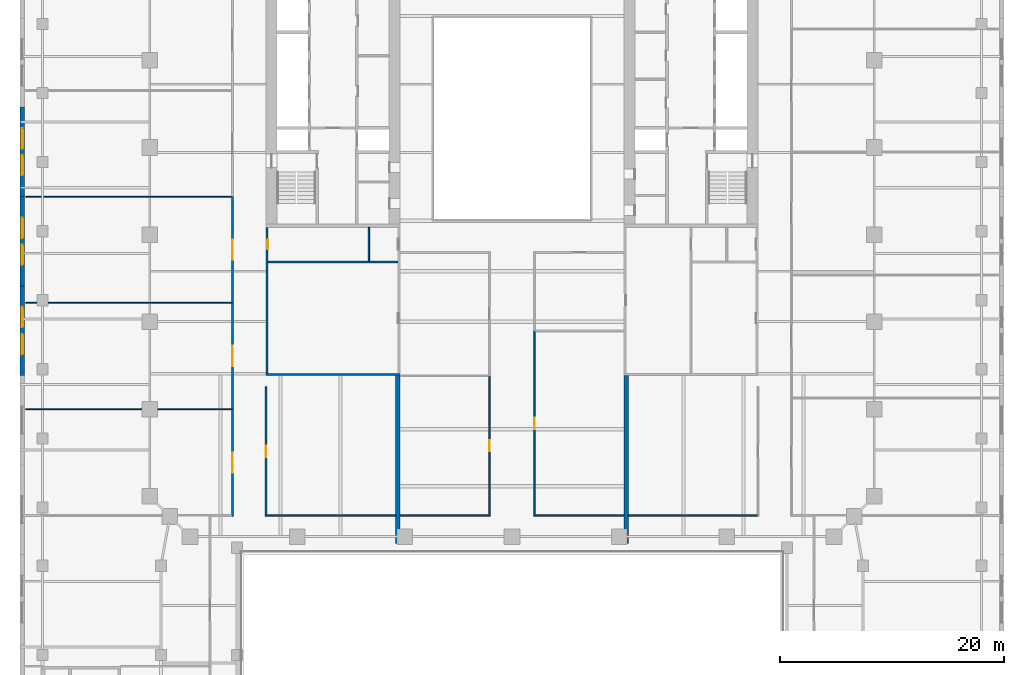
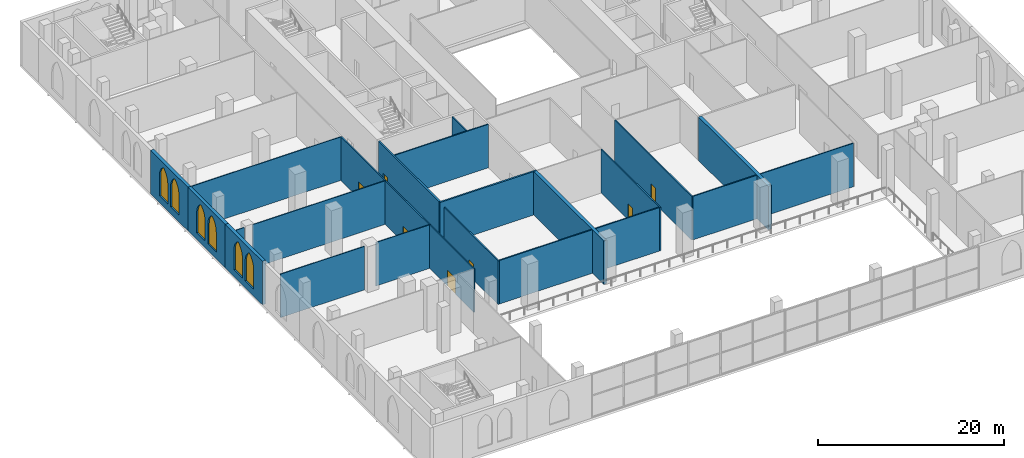
# One storey, part 9 of 21: 24 walls, 7 doors, 6 windows, 13 openings.
"""IFC4 building model written with IfcOpenShell, lengths in metres."""

from ifc_helpers import new_model, si_unit, direction, frame, frame_2d, origin, place, context, subcontext, project, spatial, polyline, rectangle, outline, extrude, material, layer, layer_set, type_object, element, fill, save


model = new_model("IFC4")

# Units and contexts
model_context = context("Model", 3, precision=1e-05, world=origin(), true_north=direction((0.0, 1.0)))
body_context = subcontext(model_context, "Body", "Model", "MODEL_VIEW")
ifc_project = project(units=[si_unit("LENGTHUNIT", "METRE"), si_unit("AREAUNIT", "SQUARE_METRE"), si_unit("VOLUMEUNIT", "CUBIC_METRE"), si_unit("PLANEANGLEUNIT", "RADIAN"), si_unit("MASSUNIT", "GRAM", prefix="KILO")], contexts=[model_context])

# Site, building, storey
site_placement = place(None, origin())
site = spatial("IfcSite", under=ifc_project, at=site_placement, CompositionType="ELEMENT")
building_placement = place(site_placement, origin())
building = spatial("IfcBuilding", under=site, at=building_placement, Name="Ogive Exchange Tower", CompositionType="ELEMENT")
storey_placement = place(building_placement, frame((0.0, 0.0, 8.0)))
storey = spatial("IfcBuildingStorey", under=building, at=storey_placement, Name="L01", CompositionType="ELEMENT", Elevation=8.0)

# Walls
ifc_material_1 = material(Name="Concrete C70/85", Category="concrete")
ifc_layer_1 = layer(ifc_material_1, 0.39990234375)
ifc_layer_set_1 = layer_set([ifc_layer_1], Name="Concrete C70/85 spine wall 400")
wall_type_1 = type_object("IfcWallType", Name="Concrete C70/85 spine wall 400", PredefinedType="SHEAR", material=ifc_layer_set_1)
for number, where, z_axis, x_axis, name in (
    (1, (-10.199951171875, -31.0, 0.0), (0.0, 0.0, 1.0), (0.0, 1.0, 0.0), "Spine wall SW"),
    (2, (10.199951171875, -31.0, 0.0), (0.0, 0.0, 1.0), (0.0, 1.0, 0.0), "Spine wall SE"),
):
    element("IfcWall", number, at=place(storey_placement, frame(where, z_axis=z_axis, x_axis=x_axis)), inside=storey, type_object=wall_type_1, Name=name, PredefinedType="SHEAR", context=body_context, shape_type="SweptSolid", body=[
        extrude(rectangle(XDim=15.0, YDim=0.39990234375, at=frame_2d((7.5, 0.0))), origin(), (0.0, 0.0, 1.0), 5.699951171875),
    ])
ifc_material_2 = material(Name="Gypsum board partition")
ifc_layer_2 = layer(ifc_material_2, 0.14990234375)
ifc_layer_set_2 = layer_set([ifc_layer_2], Name="Core room partition 150 gypsum")
wall_type_2 = type_object("IfcWallType", Name="Core room partition 150 gypsum", PredefinedType="PARTITIONING", material=ifc_layer_set_2)
wall_1_placement = place(storey_placement, frame((-21.800048828125, -5.85009765625, 0.0), z_axis=(0.0, 0.0, 1.0), x_axis=(1.0, 0.0, 0.0)))
element("IfcWall", 3, at=wall_1_placement, inside=storey, type_object=wall_type_2, Name="W annex S wc strip wall 00", PredefinedType="PARTITIONING", context=body_context, shape_type="SweptSolid", body=[
    extrude(rectangle(XDim=11.60009765625, YDim=0.14990234375, at=frame_2d((5.800048828125, 0.0))), origin(), (0.0, 0.0, 1.0), 5.699951171875),
])
wall_2_placement = place(storey_placement, frame((-12.800048828125, -5.77490234375, 0.0), z_axis=(0.0, 0.0, 1.0), x_axis=(0.0, 1.0, 0.0)))
element("IfcWall", 4, at=wall_2_placement, inside=storey, type_object=wall_type_2, Name="W annex S wc partition 00", PredefinedType="PARTITIONING", context=body_context, shape_type="SweptSolid", body=[
    extrude(rectangle(XDim=3.02490234375, YDim=0.14990234375, at=frame_2d((1.512451171875, 0.0))), origin(), (0.0, 0.0, 1.0), 5.699951171875),
])
ifc_material_3 = material(Name="Fire partition EI 60 150")
ifc_layer_3 = layer(ifc_material_3, 0.14990234375)
ifc_layer_set_3 = layer_set([ifc_layer_3], Name="Fire partition EI 60 150")
wall_type_3 = type_object("IfcWallType", Name="Fire partition EI 60 150", PredefinedType="PARTITIONING", material=ifc_layer_set_3)
wall_3_placement = place(storey_placement, frame((-21.925048828125, -28.5, 0.0), z_axis=(0.0, 0.0, 1.0), x_axis=(1.0, 0.0, 0.0)))
element("IfcWall", 5, at=wall_3_placement, inside=storey, type_object=wall_type_3, Name="L01-PWL-008", PredefinedType="PARTITIONING", context=body_context, shape_type="SweptSolid", body=[
    extrude(rectangle(XDim=11.525146484375, YDim=0.14990234375, at=frame_2d((5.7626953125, 0.0))), origin(), (0.0, 0.0, 1.0), 5.699951171875),
])
for number, where, z_axis, x_axis, name in (
    (6, (-10.0, -28.5, 0.0), (0.0, 0.0, 1.0), (1.0, 0.0, 0.0), "L01-PWL-009"),
    (7, (2.074951171875, -28.5, 0.0), (0.0, 0.0, 1.0), (1.0, 0.0, 0.0), "L01-PWL-010"),
):
    element("IfcWall", number, at=place(storey_placement, frame(where, z_axis=z_axis, x_axis=x_axis)), inside=storey, type_object=wall_type_3, Name=name, PredefinedType="PARTITIONING", context=body_context, shape_type="SweptSolid", body=[
        extrude(rectangle(XDim=7.925048828125, YDim=0.14990234375, at=frame_2d((3.96240234375, 0.0))), origin(), (0.0, 0.0, 1.0), 5.699951171875),
    ])

# Wall, opening, door
wall_4_placement = place(storey_placement, frame((-25.0, -28.574951171875, 0.0), z_axis=(0.0, 0.0, 1.0), x_axis=(0.0, 1.0, 0.0)))
wall_4 = element("IfcWall", 8, at=wall_4_placement, inside=storey, type_object=wall_type_3, Name="L01-PWL-045", PredefinedType="PARTITIONING", context=body_context, shape_type="SweptSolid", body=[
    extrude(rectangle(XDim=9.574951171875, YDim=0.14990234375, at=frame_2d((4.78759765625, 0.0))), origin(), (0.0, 0.0, 1.0), 5.699951171875),
])
opening_1_placement = place(wall_4_placement, frame((3.887451171875, 0.0, 0.0)))
opening_1 = element("IfcOpeningElement", 9, at=opening_1_placement, cuts=wall_4, Name="Opening L01-I03", PredefinedType="OPENING", context=body_context, shape_type="SweptSolid", body=[
    extrude(rectangle(XDim=1.800048828125, YDim=2.10009765625, at=frame_2d((0.89990234375, 1.050048828125))), frame((0.0, 0.0849609375, 0.0), z_axis=(0.0, -1.0, 0.0), x_axis=(1.0, 0.0, 0.0)), (0.0, 0.0, 1.0), 0.169921875),
])
ifc_material_4 = material(Name="Fire door FD 30S 1800 x 2100")
door_type_1 = type_object("IfcDoorType", Name="Fire door FD 30S 1800 x 2100", OperationType="DOUBLE_DOOR_SINGLE_SWING", PredefinedType="DOOR", material=ifc_material_4)
door_1_placement = place(opening_1_placement, origin())
door_1 = element("IfcDoor", 10, at=door_1_placement, inside=storey, type_object=door_type_1, Name="L01-IDR-003", ObjectType="DT4", OperationType="SINGLE_SWING_LEFT", OverallHeight=2.10009765625, OverallWidth=1.800048828125, PredefinedType="DOOR", context=body_context, shape_type="SweptSolid", body=[
    extrude(rectangle(XDim=1.800048828125, YDim=2.10009765625, at=frame_2d((0.89990234375, 1.050048828125))), frame((0.0, 0.02490234375, 0.0), z_axis=(0.0, -1.0, 0.0), x_axis=(1.0, 0.0, 0.0)), (0.0, 0.0, 1.0), 0.050048828125),
])
fill(opening_1, door_1)

wall_5_placement = place(storey_placement, frame((-25.0, -19.0, 0.0), z_axis=(0.0, 0.0, 1.0), x_axis=(0.0, 1.0, 0.0)))
wall_5 = element("IfcWall", 11, at=wall_5_placement, inside=storey, type_object=wall_type_3, Name="L01-PWL-046", PredefinedType="PARTITIONING", context=body_context, shape_type="SweptSolid", body=[
    extrude(rectangle(XDim=9.5, YDim=0.14990234375, at=frame_2d((4.75, 0.0))), origin(), (0.0, 0.0, 1.0), 5.699951171875),
])
opening_2_placement = place(wall_5_placement, frame((3.85009765625, 0.0, 0.0)))
opening_2 = element("IfcOpeningElement", 12, at=opening_2_placement, cuts=wall_5, Name="Opening L01-I04", PredefinedType="OPENING", context=body_context, shape_type="SweptSolid", body=[
    extrude(rectangle(XDim=1.800048828125, YDim=2.10009765625, at=frame_2d((0.89990234375, 1.050048828125))), frame((0.0, 0.0849609375, 0.0), z_axis=(0.0, -1.0, 0.0), x_axis=(1.0, 0.0, 0.0)), (0.0, 0.0, 1.0), 0.169921875),
])
door_2_placement = place(opening_2_placement, origin())
door_2 = element("IfcDoor", 13, at=door_2_placement, inside=storey, type_object=door_type_1, Name="L01-IDR-004", ObjectType="DT4", OperationType="SINGLE_SWING_RIGHT", OverallHeight=2.10009765625, OverallWidth=1.800048828125, PredefinedType="DOOR", context=body_context, shape_type="SweptSolid", body=[
    extrude(rectangle(XDim=1.800048828125, YDim=2.10009765625, at=frame_2d((0.89990234375, 1.050048828125))), frame((0.0, 0.02490234375, 0.0), z_axis=(0.0, -1.0, 0.0), x_axis=(1.0, 0.0, 0.0)), (0.0, 0.0, 1.0), 0.050048828125),
])
fill(opening_2, door_2)

wall_6_placement = place(storey_placement, frame((-25.0, -9.5, 0.0), z_axis=(0.0, 0.0, 1.0), x_axis=(0.0, 1.0, 0.0)))
wall_6 = element("IfcWall", 14, at=wall_6_placement, inside=storey, type_object=wall_type_3, Name="L01-PWL-047", PredefinedType="PARTITIONING", context=body_context, shape_type="SweptSolid", body=[
    extrude(rectangle(XDim=9.5, YDim=0.14990234375, at=frame_2d((4.75, 0.0))), origin(), (0.0, 0.0, 1.0), 5.699951171875),
])
opening_3_placement = place(wall_6_placement, frame((3.85009765625, 0.0, 0.0)))
opening_3 = element("IfcOpeningElement", 15, at=opening_3_placement, cuts=wall_6, Name="Opening L01-I05", PredefinedType="OPENING", context=body_context, shape_type="SweptSolid", body=[
    extrude(rectangle(XDim=1.800048828125, YDim=2.10009765625, at=frame_2d((0.89990234375, 1.050048828125))), frame((0.0, 0.0849609375, 0.0), z_axis=(0.0, -1.0, 0.0), x_axis=(1.0, 0.0, 0.0)), (0.0, 0.0, 1.0), 0.169921875),
])
door_3_placement = place(opening_3_placement, origin())
door_3 = element("IfcDoor", 16, at=door_3_placement, inside=storey, type_object=door_type_1, Name="L01-IDR-005", ObjectType="DT4", OperationType="SINGLE_SWING_RIGHT", OverallHeight=2.10009765625, OverallWidth=1.800048828125, PredefinedType="DOOR", context=body_context, shape_type="SweptSolid", body=[
    extrude(rectangle(XDim=1.800048828125, YDim=2.10009765625, at=frame_2d((0.89990234375, 1.050048828125))), frame((0.0, 0.02490234375, 0.0), z_axis=(0.0, -1.0, 0.0), x_axis=(1.0, 0.0, 0.0)), (0.0, 0.0, 1.0), 0.050048828125),
])
fill(opening_3, door_3)

wall_7_placement = place(storey_placement, frame((-22.0, -28.574951171875, 0.0), z_axis=(0.0, 0.0, 1.0), x_axis=(0.0, 1.0, 0.0)))
wall_7 = element("IfcWall", 17, at=wall_7_placement, inside=storey, type_object=wall_type_3, Name="L01-PWL-052", PredefinedType="PARTITIONING", context=body_context, shape_type="SweptSolid", body=[
    extrude(rectangle(XDim=11.574951171875, YDim=0.14990234375, at=frame_2d((5.78759765625, 0.0))), origin(), (0.0, 0.0, 1.0), 5.699951171875),
])
opening_4_placement = place(wall_7_placement, frame((5.28759765625, 0.0, 0.0)))
opening_4 = element("IfcOpeningElement", 18, at=opening_4_placement, cuts=wall_7, Name="Opening L01-I18", PredefinedType="OPENING", context=body_context, shape_type="SweptSolid", body=[
    extrude(rectangle(XDim=1.0, YDim=2.10009765625, at=frame_2d((0.5, 1.050048828125))), frame((0.0, 0.0849609375, 0.0), z_axis=(0.0, -1.0, 0.0), x_axis=(1.0, 0.0, 0.0)), (0.0, 0.0, 1.0), 0.169921875),
])
ifc_material_5 = material(Name="Fire door FD 30S 1000 x 2100")
door_type_2 = type_object("IfcDoorType", Name="Fire door FD 30S 1000 x 2100", OperationType="NOTDEFINED", PredefinedType="DOOR", material=ifc_material_5)
door_4_placement = place(opening_4_placement, frame((1.0, 0.0, 0.0), z_axis=(0.0, 0.0, 1.0), x_axis=(-1.0, 0.0, 0.0)))
door_4 = element("IfcDoor", 19, at=door_4_placement, inside=storey, type_object=door_type_2, Name="L01-IDR-018", ObjectType="DT3", OperationType="SINGLE_SWING_LEFT", OverallHeight=2.10009765625, OverallWidth=1.0, PredefinedType="DOOR", context=body_context, shape_type="SweptSolid", body=[
    extrude(rectangle(XDim=1.0, YDim=2.10009765625, at=frame_2d((0.5, 1.050048828125))), frame((0.0, 0.02490234375, 0.0), z_axis=(0.0, -1.0, 0.0), x_axis=(1.0, 0.0, 0.0)), (0.0, 0.0, 1.0), 0.050048828125),
])
fill(opening_4, door_4)

wall_8_placement = place(storey_placement, frame((-2.0, -28.574951171875, 0.0), z_axis=(0.0, 0.0, 1.0), x_axis=(0.0, 1.0, 0.0)))
wall_8 = element("IfcWall", 20, at=wall_8_placement, inside=storey, type_object=wall_type_3, Name="L01-PWL-053", PredefinedType="PARTITIONING", context=body_context, shape_type="SweptSolid", body=[
    extrude(rectangle(XDim=12.574951171875, YDim=0.14990234375, at=frame_2d((6.28759765625, 0.0))), origin(), (0.0, 0.0, 1.0), 5.699951171875),
])
opening_5_placement = place(wall_8_placement, frame((5.78759765625, 0.0, 0.0)))
opening_5 = element("IfcOpeningElement", 21, at=opening_5_placement, cuts=wall_8, Name="Opening L01-I20", PredefinedType="OPENING", context=body_context, shape_type="SweptSolid", body=[
    extrude(rectangle(XDim=1.0, YDim=2.10009765625, at=frame_2d((0.5, 1.050048828125))), frame((0.0, 0.0849609375, 0.0), z_axis=(0.0, -1.0, 0.0), x_axis=(1.0, 0.0, 0.0)), (0.0, 0.0, 1.0), 0.169921875),
])
door_5_placement = place(opening_5_placement, frame((1.0, 0.0, 0.0), z_axis=(0.0, 0.0, 1.0), x_axis=(-1.0, 0.0, 0.0)))
door_5 = element("IfcDoor", 22, at=door_5_placement, inside=storey, type_object=door_type_2, Name="L01-IDR-020", ObjectType="DT3", OperationType="SINGLE_SWING_RIGHT", OverallHeight=2.10009765625, OverallWidth=1.0, PredefinedType="DOOR", context=body_context, shape_type="SweptSolid", body=[
    extrude(rectangle(XDim=1.0, YDim=2.10009765625, at=frame_2d((0.5, 1.050048828125))), frame((0.0, 0.02490234375, 0.0), z_axis=(0.0, -1.0, 0.0), x_axis=(1.0, 0.0, 0.0)), (0.0, 0.0, 1.0), 0.050048828125),
])
fill(opening_5, door_5)

wall_9_placement = place(storey_placement, frame((2.0, -28.574951171875, 0.0), z_axis=(0.0, 0.0, 1.0), x_axis=(0.0, 1.0, 0.0)))
wall_9 = element("IfcWall", 23, at=wall_9_placement, inside=storey, type_object=wall_type_3, Name="L01-PWL-056", PredefinedType="PARTITIONING", context=body_context, shape_type="SweptSolid", body=[
    extrude(rectangle(XDim=16.574951171875, YDim=0.14990234375, at=frame_2d((8.28759765625, 0.0))), origin(), (0.0, 0.0, 1.0), 5.699951171875),
])
opening_6_placement = place(wall_9_placement, frame((7.78759765625, 0.0, 0.0)))
opening_6 = element("IfcOpeningElement", 24, at=opening_6_placement, cuts=wall_9, Name="Opening L01-I22", PredefinedType="OPENING", context=body_context, shape_type="SweptSolid", body=[
    extrude(rectangle(XDim=1.0, YDim=2.10009765625, at=frame_2d((0.5, 1.050048828125))), frame((0.0, 0.0849609375, 0.0), z_axis=(0.0, -1.0, 0.0), x_axis=(1.0, 0.0, 0.0)), (0.0, 0.0, 1.0), 0.169921875),
])
door_6_placement = place(opening_6_placement, origin())
door_6 = element("IfcDoor", 25, at=door_6_placement, inside=storey, type_object=door_type_2, Name="L01-IDR-022", ObjectType="DT3", OperationType="SINGLE_SWING_LEFT", OverallHeight=2.10009765625, OverallWidth=1.0, PredefinedType="DOOR", context=body_context, shape_type="SweptSolid", body=[
    extrude(rectangle(XDim=1.0, YDim=2.10009765625, at=frame_2d((0.5, 1.050048828125))), frame((0.0, 0.02490234375, 0.0), z_axis=(0.0, -1.0, 0.0), x_axis=(1.0, 0.0, 0.0)), (0.0, 0.0, 1.0), 0.050048828125),
])
fill(opening_6, door_6)

# Wall
ifc_material_6 = material(Name="Glazed fire partition EI 60 120")
ifc_layer_4 = layer(ifc_material_6, 0.1201171875)
ifc_layer_set_4 = layer_set([ifc_layer_4], Name="Glazed fire partition EI 60 120")
wall_type_4 = type_object("IfcWallType", Name="Glazed fire partition EI 60 120", PredefinedType="PARTITIONING", material=ifc_layer_set_4)
wall_10_placement = place(storey_placement, frame((10.39990234375, -28.5, 0.0), z_axis=(0.0, 0.0, 1.0), x_axis=(1.0, 0.0, 0.0)))
element("IfcWall", 26, at=wall_10_placement, inside=storey, type_object=wall_type_4, Name="L01-PWL-011", PredefinedType="PARTITIONING", context=body_context, shape_type="SweptSolid", body=[
    extrude(rectangle(XDim=11.5400390625, YDim=0.1201171875, at=frame_2d((5.77001953125, 0.0))), origin(), (0.0, 0.0, 1.0), 5.699951171875),
])

# Wall, openings, windows
ifc_material_7 = material(Name="Precast concrete C40/50", Category="concrete")
ifc_layer_5 = layer(ifc_material_7, 0.39990234375)
ifc_layer_set_5 = layer_set([ifc_layer_5], Name="Limestone-faced wall 400")
wall_type_5 = type_object("IfcWallType", Name="Limestone-faced wall 400", PredefinedType="STANDARD", material=ifc_layer_set_5)
wall_11_placement = place(storey_placement, frame((-43.800048828125, 8.0, 0.0), z_axis=(0.0, 0.0, 1.0), x_axis=(0.0, -1.0, 0.0)))
wall_11 = element("IfcWall", 27, at=wall_11_placement, inside=storey, type_object=wall_type_5, Name="Podium wall W5", PredefinedType="STANDARD", context=body_context, shape_type="SweptSolid", body=[
    extrude(rectangle(XDim=8.0, YDim=0.39990234375, at=frame_2d((4.0, 0.0))), origin(), (0.0, 0.0, 1.0), 5.699951171875),
])
opening_7_placement = place(wall_11_placement, frame((1.89990234375, 0.0, 0.89990234375)))
opening_7 = element("IfcOpeningElement", 28, at=opening_7_placement, cuts=wall_11, Name="Opening WQ420", PredefinedType="OPENING", context=body_context, shape_type="SweptSolid", body=[
    extrude(outline(polyline([(0.0, 0.0), (1.800048828125, 0.0), (1.800048828125, 2.64111328125), (1.78466796875, 2.8759765625), (1.73876953125, 3.10693359375), (1.6630859375, 3.329833984375), (1.558837890625, 3.541015625), (1.427978515625, 3.73681640625), (1.272705078125, 3.913818359375), (1.095703125, 4.069091796875), (0.89990234375, 4.199951171875), (0.704345703125, 4.069091796875), (0.52734375, 3.913818359375), (0.3720703125, 3.73681640625), (0.2412109375, 3.541015625), (0.136962890625, 3.329833984375), (0.061279296875, 3.10693359375), (0.015380859375, 2.8759765625), (0.0, 2.64111328125), (0.0, 0.0)])), frame((0.0, 0.2099609375, 0.0), z_axis=(0.0, -1.0, 0.0), x_axis=(1.0, 0.0, 0.0)), (0.0, 0.0, 1.0), 0.419921875),
])
opening_8_placement = place(wall_11_placement, frame((4.300048828125, 0.0, 0.89990234375)))
opening_8 = element("IfcOpeningElement", 29, at=opening_8_placement, cuts=wall_11, Name="Opening WQ420", PredefinedType="OPENING", context=body_context, shape_type="SweptSolid", body=[
    extrude(outline(polyline([(0.0, 0.0), (1.800048828125, 0.0), (1.800048828125, 2.64111328125), (1.78466796875, 2.8759765625), (1.73876953125, 3.10693359375), (1.6630859375, 3.329833984375), (1.558837890625, 3.541015625), (1.427978515625, 3.73681640625), (1.272705078125, 3.913818359375), (1.095703125, 4.069091796875), (0.89990234375, 4.199951171875), (0.704345703125, 4.069091796875), (0.52734375, 3.913818359375), (0.3720703125, 3.73681640625), (0.2412109375, 3.541015625), (0.136962890625, 3.329833984375), (0.061279296875, 3.10693359375), (0.015380859375, 2.8759765625), (0.0, 2.64111328125), (0.0, 0.0)])), frame((0.0, 0.2099609375, 0.0), z_axis=(0.0, -1.0, 0.0), x_axis=(1.0, 0.0, 0.0)), (0.0, 0.0, 1.0), 0.419921875),
])
ifc_material_8 = material(Name="Clear glass in bronze frame", Category="glass")
window_type = type_object("IfcWindowType", Name="Podium paired lancet 1800 x 4200", PartitioningType="DOUBLE_PANEL_VERTICAL", PredefinedType="WINDOW", material=ifc_material_8)
window_1_placement = place(opening_7_placement, origin())
window_1 = element("IfcWindow", 30, at=window_1_placement, inside=storey, type_object=window_type, Name="Podium paired lancet W5.1", OverallHeight=4.199951171875, OverallWidth=1.800048828125, PartitioningType="DOUBLE_PANEL_VERTICAL", PredefinedType="WINDOW", context=body_context, shape_type="SweptSolid", body=[
    extrude(outline(polyline([(0.0, 0.0), (1.800048828125, 0.0), (1.800048828125, 2.64111328125), (1.78466796875, 2.8759765625), (1.73876953125, 3.10693359375), (1.6630859375, 3.329833984375), (1.558837890625, 3.541015625), (1.427978515625, 3.73681640625), (1.272705078125, 3.913818359375), (1.095703125, 4.069091796875), (0.89990234375, 4.199951171875), (0.704345703125, 4.069091796875), (0.52734375, 3.913818359375), (0.3720703125, 3.73681640625), (0.2412109375, 3.541015625), (0.136962890625, 3.329833984375), (0.061279296875, 3.10693359375), (0.015380859375, 2.8759765625), (0.0, 2.64111328125), (0.0, 0.0)])), frame((0.0, 0.030029296875, 0.0), z_axis=(0.0, -1.0, 0.0), x_axis=(1.0, 0.0, 0.0)), (0.0, 0.0, 1.0), 0.06005859375),
])
fill(opening_7, window_1)
window_2_placement = place(opening_8_placement, origin())
window_2 = element("IfcWindow", 31, at=window_2_placement, inside=storey, type_object=window_type, Name="Podium paired lancet W5.2", OverallHeight=4.199951171875, OverallWidth=1.800048828125, PartitioningType="DOUBLE_PANEL_VERTICAL", PredefinedType="WINDOW", context=body_context, shape_type="SweptSolid", body=[
    extrude(outline(polyline([(0.0, 0.0), (1.800048828125, 0.0), (1.800048828125, 2.64111328125), (1.78466796875, 2.8759765625), (1.73876953125, 3.10693359375), (1.6630859375, 3.329833984375), (1.558837890625, 3.541015625), (1.427978515625, 3.73681640625), (1.272705078125, 3.913818359375), (1.095703125, 4.069091796875), (0.89990234375, 4.199951171875), (0.704345703125, 4.069091796875), (0.52734375, 3.913818359375), (0.3720703125, 3.73681640625), (0.2412109375, 3.541015625), (0.136962890625, 3.329833984375), (0.061279296875, 3.10693359375), (0.015380859375, 2.8759765625), (0.0, 2.64111328125), (0.0, 0.0)])), frame((0.0, 0.030029296875, 0.0), z_axis=(0.0, -1.0, 0.0), x_axis=(1.0, 0.0, 0.0)), (0.0, 0.0, 1.0), 0.06005859375),
])
fill(opening_8, window_2)

wall_12_placement = place(storey_placement, frame((-43.800048828125, 0.0, 0.0), z_axis=(0.0, 0.0, 1.0), x_axis=(0.0, -1.0, 0.0)))
wall_12 = element("IfcWall", 32, at=wall_12_placement, inside=storey, type_object=wall_type_5, Name="Podium wall W6", PredefinedType="STANDARD", context=body_context, shape_type="SweptSolid", body=[
    extrude(rectangle(XDim=8.0, YDim=0.39990234375, at=frame_2d((4.0, 0.0))), origin(), (0.0, 0.0, 1.0), 5.699951171875),
])
opening_9_placement = place(wall_12_placement, frame((1.89990234375, 0.0, 0.89990234375)))
opening_9 = element("IfcOpeningElement", 33, at=opening_9_placement, cuts=wall_12, Name="Opening WQ420", PredefinedType="OPENING", context=body_context, shape_type="SweptSolid", body=[
    extrude(outline(polyline([(0.0, 0.0), (1.800048828125, 0.0), (1.800048828125, 2.64111328125), (1.78466796875, 2.8759765625), (1.73876953125, 3.10693359375), (1.6630859375, 3.329833984375), (1.558837890625, 3.541015625), (1.427978515625, 3.73681640625), (1.272705078125, 3.913818359375), (1.095703125, 4.069091796875), (0.89990234375, 4.199951171875), (0.704345703125, 4.069091796875), (0.52734375, 3.913818359375), (0.3720703125, 3.73681640625), (0.2412109375, 3.541015625), (0.136962890625, 3.329833984375), (0.061279296875, 3.10693359375), (0.015380859375, 2.8759765625), (0.0, 2.64111328125), (0.0, 0.0)])), frame((0.0, 0.2099609375, 0.0), z_axis=(0.0, -1.0, 0.0), x_axis=(1.0, 0.0, 0.0)), (0.0, 0.0, 1.0), 0.419921875),
])
opening_10_placement = place(wall_12_placement, frame((4.300048828125, 0.0, 0.89990234375)))
opening_10 = element("IfcOpeningElement", 34, at=opening_10_placement, cuts=wall_12, Name="Opening WQ420", PredefinedType="OPENING", context=body_context, shape_type="SweptSolid", body=[
    extrude(outline(polyline([(0.0, 0.0), (1.800048828125, 0.0), (1.800048828125, 2.64111328125), (1.78466796875, 2.8759765625), (1.73876953125, 3.10693359375), (1.6630859375, 3.329833984375), (1.558837890625, 3.541015625), (1.427978515625, 3.73681640625), (1.272705078125, 3.913818359375), (1.095703125, 4.069091796875), (0.89990234375, 4.199951171875), (0.704345703125, 4.069091796875), (0.52734375, 3.913818359375), (0.3720703125, 3.73681640625), (0.2412109375, 3.541015625), (0.136962890625, 3.329833984375), (0.061279296875, 3.10693359375), (0.015380859375, 2.8759765625), (0.0, 2.64111328125), (0.0, 0.0)])), frame((0.0, 0.2099609375, 0.0), z_axis=(0.0, -1.0, 0.0), x_axis=(1.0, 0.0, 0.0)), (0.0, 0.0, 1.0), 0.419921875),
])
window_3_placement = place(opening_9_placement, origin())
window_3 = element("IfcWindow", 35, at=window_3_placement, inside=storey, type_object=window_type, Name="Podium paired lancet W6.1", OverallHeight=4.199951171875, OverallWidth=1.800048828125, PartitioningType="DOUBLE_PANEL_VERTICAL", PredefinedType="WINDOW", context=body_context, shape_type="SweptSolid", body=[
    extrude(outline(polyline([(0.0, 0.0), (1.800048828125, 0.0), (1.800048828125, 2.64111328125), (1.78466796875, 2.8759765625), (1.73876953125, 3.10693359375), (1.6630859375, 3.329833984375), (1.558837890625, 3.541015625), (1.427978515625, 3.73681640625), (1.272705078125, 3.913818359375), (1.095703125, 4.069091796875), (0.89990234375, 4.199951171875), (0.704345703125, 4.069091796875), (0.52734375, 3.913818359375), (0.3720703125, 3.73681640625), (0.2412109375, 3.541015625), (0.136962890625, 3.329833984375), (0.061279296875, 3.10693359375), (0.015380859375, 2.8759765625), (0.0, 2.64111328125), (0.0, 0.0)])), frame((0.0, 0.030029296875, 0.0), z_axis=(0.0, -1.0, 0.0), x_axis=(1.0, 0.0, 0.0)), (0.0, 0.0, 1.0), 0.06005859375),
])
fill(opening_9, window_3)
window_4_placement = place(opening_10_placement, origin())
window_4 = element("IfcWindow", 36, at=window_4_placement, inside=storey, type_object=window_type, Name="Podium paired lancet W6.2", OverallHeight=4.199951171875, OverallWidth=1.800048828125, PartitioningType="DOUBLE_PANEL_VERTICAL", PredefinedType="WINDOW", context=body_context, shape_type="SweptSolid", body=[
    extrude(outline(polyline([(0.0, 0.0), (1.800048828125, 0.0), (1.800048828125, 2.64111328125), (1.78466796875, 2.8759765625), (1.73876953125, 3.10693359375), (1.6630859375, 3.329833984375), (1.558837890625, 3.541015625), (1.427978515625, 3.73681640625), (1.272705078125, 3.913818359375), (1.095703125, 4.069091796875), (0.89990234375, 4.199951171875), (0.704345703125, 4.069091796875), (0.52734375, 3.913818359375), (0.3720703125, 3.73681640625), (0.2412109375, 3.541015625), (0.136962890625, 3.329833984375), (0.061279296875, 3.10693359375), (0.015380859375, 2.8759765625), (0.0, 2.64111328125), (0.0, 0.0)])), frame((0.0, 0.030029296875, 0.0), z_axis=(0.0, -1.0, 0.0), x_axis=(1.0, 0.0, 0.0)), (0.0, 0.0, 1.0), 0.06005859375),
])
fill(opening_10, window_4)

wall_13_placement = place(storey_placement, frame((-43.800048828125, -8.0, 0.0), z_axis=(0.0, 0.0, 1.0), x_axis=(0.0, -1.0, 0.0)))
wall_13 = element("IfcWall", 37, at=wall_13_placement, inside=storey, type_object=wall_type_5, Name="Podium wall W7", PredefinedType="STANDARD", context=body_context, shape_type="SweptSolid", body=[
    extrude(rectangle(XDim=8.0, YDim=0.39990234375, at=frame_2d((4.0, 0.0))), origin(), (0.0, 0.0, 1.0), 5.699951171875),
])
opening_11_placement = place(wall_13_placement, frame((1.89990234375, 0.0, 0.89990234375)))
opening_11 = element("IfcOpeningElement", 38, at=opening_11_placement, cuts=wall_13, Name="Opening WQ420", PredefinedType="OPENING", context=body_context, shape_type="SweptSolid", body=[
    extrude(outline(polyline([(0.0, 0.0), (1.800048828125, 0.0), (1.800048828125, 2.64111328125), (1.78466796875, 2.8759765625), (1.73876953125, 3.10693359375), (1.6630859375, 3.329833984375), (1.558837890625, 3.541015625), (1.427978515625, 3.73681640625), (1.272705078125, 3.913818359375), (1.095703125, 4.069091796875), (0.89990234375, 4.199951171875), (0.704345703125, 4.069091796875), (0.52734375, 3.913818359375), (0.3720703125, 3.73681640625), (0.2412109375, 3.541015625), (0.136962890625, 3.329833984375), (0.061279296875, 3.10693359375), (0.015380859375, 2.8759765625), (0.0, 2.64111328125), (0.0, 0.0)])), frame((0.0, 0.2099609375, 0.0), z_axis=(0.0, -1.0, 0.0), x_axis=(1.0, 0.0, 0.0)), (0.0, 0.0, 1.0), 0.419921875),
])
opening_12_placement = place(wall_13_placement, frame((4.300048828125, 0.0, 0.89990234375)))
opening_12 = element("IfcOpeningElement", 39, at=opening_12_placement, cuts=wall_13, Name="Opening WQ420", PredefinedType="OPENING", context=body_context, shape_type="SweptSolid", body=[
    extrude(outline(polyline([(0.0, 0.0), (1.800048828125, 0.0), (1.800048828125, 2.64111328125), (1.78466796875, 2.8759765625), (1.73876953125, 3.10693359375), (1.6630859375, 3.329833984375), (1.558837890625, 3.541015625), (1.427978515625, 3.73681640625), (1.272705078125, 3.913818359375), (1.095703125, 4.069091796875), (0.89990234375, 4.199951171875), (0.704345703125, 4.069091796875), (0.52734375, 3.913818359375), (0.3720703125, 3.73681640625), (0.2412109375, 3.541015625), (0.136962890625, 3.329833984375), (0.061279296875, 3.10693359375), (0.015380859375, 2.8759765625), (0.0, 2.64111328125), (0.0, 0.0)])), frame((0.0, 0.2099609375, 0.0), z_axis=(0.0, -1.0, 0.0), x_axis=(1.0, 0.0, 0.0)), (0.0, 0.0, 1.0), 0.419921875),
])
window_5_placement = place(opening_11_placement, origin())
window_5 = element("IfcWindow", 40, at=window_5_placement, inside=storey, type_object=window_type, Name="Podium paired lancet W7.1", OverallHeight=4.199951171875, OverallWidth=1.800048828125, PartitioningType="DOUBLE_PANEL_VERTICAL", PredefinedType="WINDOW", context=body_context, shape_type="SweptSolid", body=[
    extrude(outline(polyline([(0.0, 0.0), (1.800048828125, 0.0), (1.800048828125, 2.64111328125), (1.78466796875, 2.8759765625), (1.73876953125, 3.10693359375), (1.6630859375, 3.329833984375), (1.558837890625, 3.541015625), (1.427978515625, 3.73681640625), (1.272705078125, 3.913818359375), (1.095703125, 4.069091796875), (0.89990234375, 4.199951171875), (0.704345703125, 4.069091796875), (0.52734375, 3.913818359375), (0.3720703125, 3.73681640625), (0.2412109375, 3.541015625), (0.136962890625, 3.329833984375), (0.061279296875, 3.10693359375), (0.015380859375, 2.8759765625), (0.0, 2.64111328125), (0.0, 0.0)])), frame((0.0, 0.030029296875, 0.0), z_axis=(0.0, -1.0, 0.0), x_axis=(1.0, 0.0, 0.0)), (0.0, 0.0, 1.0), 0.06005859375),
])
fill(opening_11, window_5)
window_6_placement = place(opening_12_placement, origin())
window_6 = element("IfcWindow", 41, at=window_6_placement, inside=storey, type_object=window_type, Name="Podium paired lancet W7.2", OverallHeight=4.199951171875, OverallWidth=1.800048828125, PartitioningType="DOUBLE_PANEL_VERTICAL", PredefinedType="WINDOW", context=body_context, shape_type="SweptSolid", body=[
    extrude(outline(polyline([(0.0, 0.0), (1.800048828125, 0.0), (1.800048828125, 2.64111328125), (1.78466796875, 2.8759765625), (1.73876953125, 3.10693359375), (1.6630859375, 3.329833984375), (1.558837890625, 3.541015625), (1.427978515625, 3.73681640625), (1.272705078125, 3.913818359375), (1.095703125, 4.069091796875), (0.89990234375, 4.199951171875), (0.704345703125, 4.069091796875), (0.52734375, 3.913818359375), (0.3720703125, 3.73681640625), (0.2412109375, 3.541015625), (0.136962890625, 3.329833984375), (0.061279296875, 3.10693359375), (0.015380859375, 2.8759765625), (0.0, 2.64111328125), (0.0, 0.0)])), frame((0.0, 0.030029296875, 0.0), z_axis=(0.0, -1.0, 0.0), x_axis=(1.0, 0.0, 0.0)), (0.0, 0.0, 1.0), 0.06005859375),
])
fill(opening_12, window_6)

# Walls
ifc_material_9 = material(Name="Partition 100 gypsum")
ifc_layer_6 = layer(ifc_material_9, 0.10009765625)
ifc_layer_set_6 = layer_set([ifc_layer_6], Name="Partition 100 gypsum")
wall_type_6 = type_object("IfcWallType", Name="Partition 100 gypsum", PredefinedType="PARTITIONING", material=ifc_layer_set_6)
wall_14_placement = place(storey_placement, frame((-43.5, -19.0, 0.0), z_axis=(0.0, 0.0, 1.0), x_axis=(1.0, 0.0, 0.0)))
element("IfcWall", 42, at=wall_14_placement, inside=storey, type_object=wall_type_6, Name="L01-PWL-015", PredefinedType="PARTITIONING", context=body_context, shape_type="SweptSolid", body=[
    extrude(rectangle(XDim=10.39990234375, YDim=0.10009765625, at=frame_2d((5.199951171875, 0.0))), origin(), (0.0, 0.0, 1.0), 5.699951171875),
])
wall_15_placement = place(storey_placement, frame((-31.699951171875, -19.0, 0.0), z_axis=(0.0, 0.0, 1.0), x_axis=(1.0, 0.0, 0.0)))
element("IfcWall", 43, at=wall_15_placement, inside=storey, type_object=wall_type_6, Name="L01-PWL-016", PredefinedType="PARTITIONING", context=body_context, shape_type="SweptSolid", body=[
    extrude(rectangle(XDim=6.625, YDim=0.10009765625, at=frame_2d((3.3125, 0.0))), origin(), (0.0, 0.0, 1.0), 5.699951171875),
])
wall_16_placement = place(storey_placement, frame((-43.5, -9.5, 0.0), z_axis=(0.0, 0.0, 1.0), x_axis=(1.0, 0.0, 0.0)))
element("IfcWall", 44, at=wall_16_placement, inside=storey, type_object=wall_type_6, Name="L01-PWL-020", PredefinedType="PARTITIONING", context=body_context, shape_type="SweptSolid", body=[
    extrude(rectangle(XDim=1.0, YDim=0.10009765625, at=frame_2d((0.5, 0.0))), origin(), (0.0, 0.0, 1.0), 5.699951171875),
])
wall_17_placement = place(storey_placement, frame((-41.5, -9.5, 0.0), z_axis=(0.0, 0.0, 1.0), x_axis=(1.0, 0.0, 0.0)))
element("IfcWall", 45, at=wall_17_placement, inside=storey, type_object=wall_type_6, Name="L01-PWL-021", PredefinedType="PARTITIONING", context=body_context, shape_type="SweptSolid", body=[
    extrude(rectangle(XDim=16.425048828125, YDim=0.10009765625, at=frame_2d((8.21240234375, 0.0))), origin(), (0.0, 0.0, 1.0), 5.699951171875),
])
wall_18_placement = place(storey_placement, frame((-43.5, 0.0, 0.0), z_axis=(0.0, 0.0, 1.0), x_axis=(1.0, 0.0, 0.0)))
element("IfcWall", 46, at=wall_18_placement, inside=storey, type_object=wall_type_6, Name="L01-PWL-025", PredefinedType="PARTITIONING", context=body_context, shape_type="SweptSolid", body=[
    extrude(rectangle(XDim=18.425048828125, YDim=0.10009765625, at=frame_2d((9.21240234375, 0.0))), origin(), (0.0, 0.0, 1.0), 5.699951171875),
])

# Wall, opening, door
ifc_layer_7 = layer(ifc_material_1, 0.199951171875)
ifc_layer_set_7 = layer_set([ifc_layer_7], Name="RC core wall 200 C70/85")
wall_type_7 = type_object("IfcWallType", Name="RC core wall 200 C70/85", PredefinedType="SHEAR", material=ifc_layer_set_7)
wall_19_placement = place(storey_placement, frame((-21.89990234375, -15.800048828125, 0.0), z_axis=(0.0, 0.0, 1.0), x_axis=(0.0, 1.0, 0.0)))
wall_19 = element("IfcWall", 47, at=wall_19_placement, inside=storey, type_object=wall_type_7, Name="W annex S outer wall", PredefinedType="SHEAR", context=body_context, shape_type="SweptSolid", body=[
    extrude(rectangle(XDim=13.050048828125, YDim=0.199951171875, at=frame_2d((6.52490234375, 0.0))), origin(), (0.0, 0.0, 1.0), 5.699951171875),
])
opening_13_placement = place(wall_19_placement, frame((11.08740234375, 0.0, 0.0)))
opening_13 = element("IfcOpeningElement", 48, at=opening_13_placement, cuts=wall_19, Name="Opening L01-C21", PredefinedType="OPENING", context=body_context, shape_type="SweptSolid", body=[
    extrude(rectangle(XDim=0.89990234375, YDim=2.10009765625, at=frame_2d((0.449951171875, 1.050048828125))), frame((0.0, 0.10986328125, 0.0), z_axis=(0.0, -1.0, 0.0), x_axis=(1.0, 0.0, 0.0)), (0.0, 0.0, 1.0), 0.219970703125),
])
ifc_material_10 = material(Name="Steel fire door", Category="steel")
door_type_3 = type_object("IfcDoorType", Name="Riser door FD60 900 x 2100", OperationType="NOTDEFINED", PredefinedType="DOOR", material=ifc_material_10)
door_7_placement = place(opening_13_placement, frame((0.89990234375, -0.14990234375, 0.0), z_axis=(0.0, 0.0, 1.0), x_axis=(-1.0, 0.0, 0.0)))
door_7 = element("IfcDoor", 49, at=door_7_placement, inside=storey, type_object=door_type_3, Name="Riser door", ObjectType="CD2", OperationType="SINGLE_SWING_RIGHT", OverallHeight=2.10009765625, OverallWidth=0.89990234375, PredefinedType="DOOR", context=body_context, shape_type="SweptSolid", body=[
    extrude(rectangle(XDim=0.89990234375, YDim=2.10009765625, at=frame_2d((0.449951171875, 1.050048828125))), frame((0.0, -0.0498046875, 0.0), z_axis=(0.0, -1.0, 0.0), x_axis=(1.0, 0.0, 0.0)), (0.0, 0.0, 1.0), 0.050048828125),
])
fill(opening_13, door_7)

# Wall
wall_20_placement = place(storey_placement, frame((-22.0, -15.89990234375, 0.0), z_axis=(0.0, 0.0, 1.0), x_axis=(1.0, 0.0, 0.0)))
element("IfcWall", 50, at=wall_20_placement, inside=storey, type_object=wall_type_7, Name="W annex S end wall", PredefinedType="SHEAR", context=body_context, shape_type="SweptSolid", body=[
    extrude(rectangle(XDim=12.0, YDim=0.199951171875, at=frame_2d((6.0, 0.0))), origin(), (0.0, 0.0, 1.0), 5.699951171875),
])

save(model, "model.ifc")
